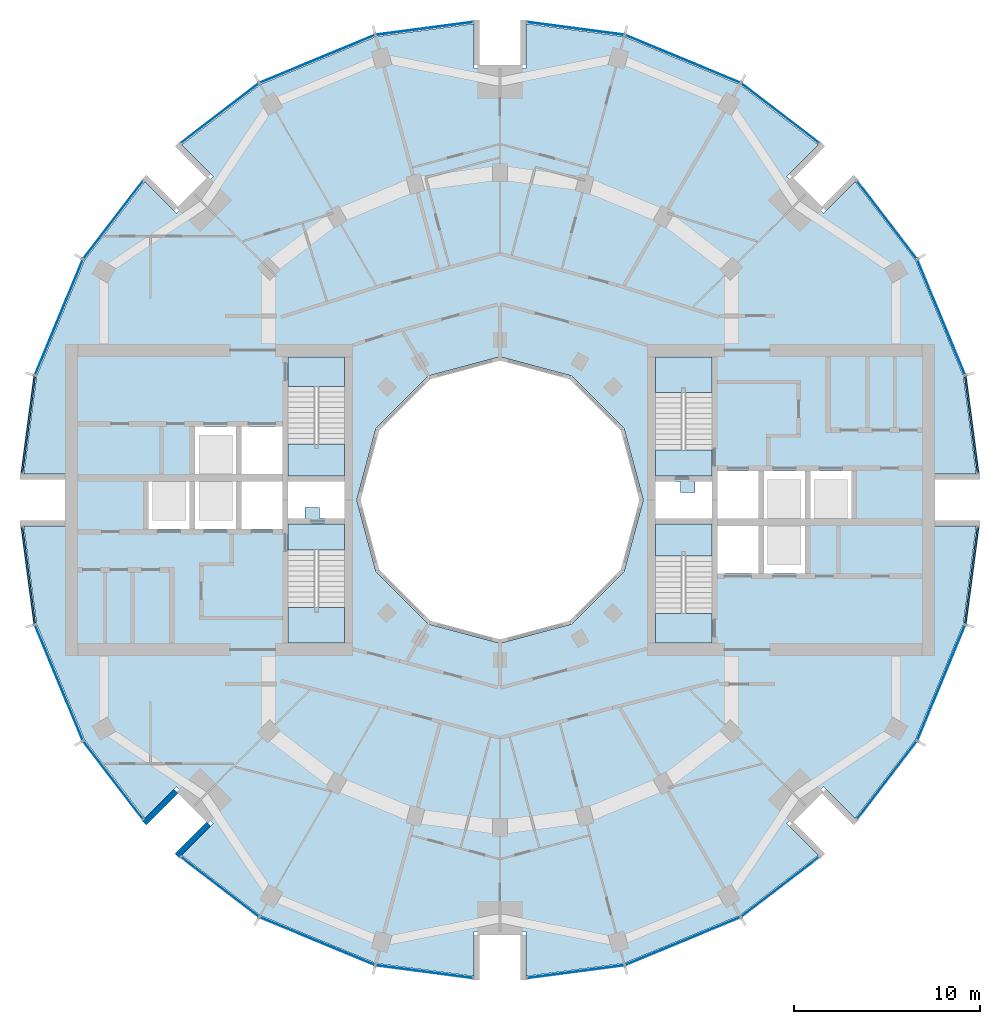
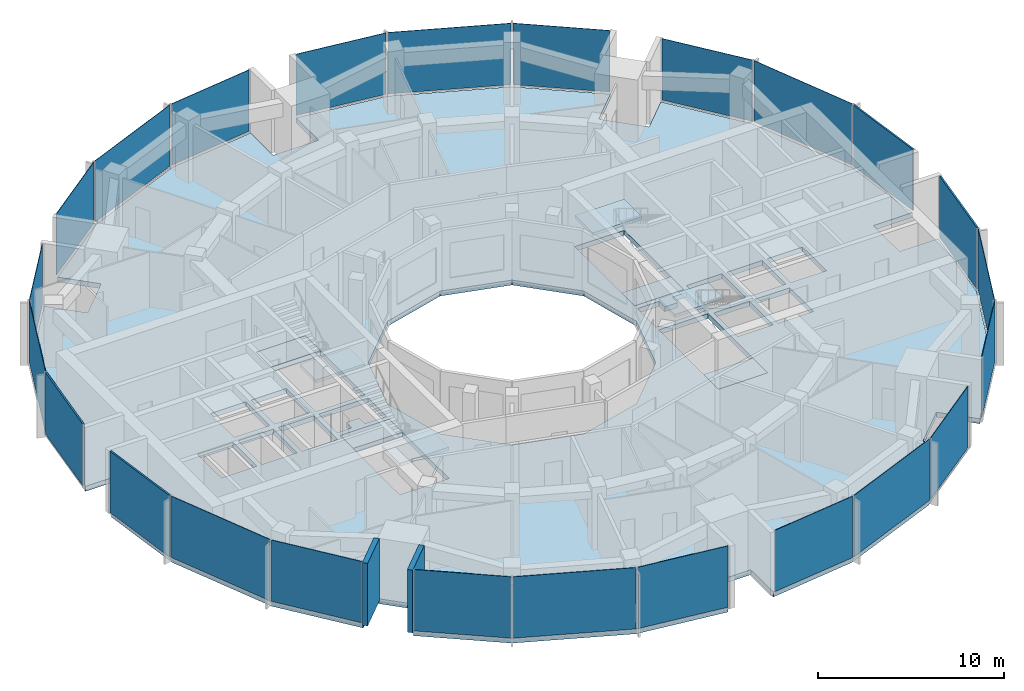
# One storey, part 7 of 15: 24 plates, 9 slabs, 2 walls, 28 elements without a shape of their own.
"""IFC4 building model written with IfcOpenShell, lengths in metres."""

import ifcopenshell
import ifcopenshell.guid

model = None  # the IFC model being written
_history = None  # IfcOwnerHistory: only IFC2X3 demands one
_inside = {}  # id of a spatial element -> (the spatial element, [elements in it])
_under = {}  # id of a project, library or spatial element -> (it, [spatial elements below it])
_declared = {}  # id of a project -> (the project, [libraries it declares])
_typed = {}  # id of a type object -> (the type object, [elements of that type])
_made_of = {}  # id of a material, layer set ... -> (it, [elements and type objects made of it])


def new_model(schema):
    """Start an empty IFC model of exactly this schema.

    Asked for "IFC4X3", IfcOpenShell would pick the latest addendum, in which some entities
    have other attributes; the version numbers below select the first issue.
    IFC2X3 requires an IfcOwnerHistory on every rooted entity: one is made here for all.
    """
    global model, _history
    if schema == "IFC4X3":
        model = ifcopenshell.file(schema_version=(4, 3, 0, 0))
    else:
        model = ifcopenshell.file(schema=schema)
    _inside.clear()
    _under.clear()
    _declared.clear()
    _typed.clear()
    _made_of.clear()
    _history = None
    if model.schema == "IFC2X3":
        org = make("IfcOrganization", Name="unknown")
        user = make(
            "IfcPersonAndOrganization",
            ThePerson=make("IfcPerson", FamilyName="unknown"),
            TheOrganization=org,
        )
        app = make(
            "IfcApplication",
            ApplicationDeveloper=org,
            Version="unknown",
            ApplicationFullName="unknown",
            ApplicationIdentifier="unknown",
        )
        _history = make(
            "IfcOwnerHistory",
            OwningUser=user,
            OwningApplication=app,
            ChangeAction="ADDED",
            CreationDate=0,
        )
    return model


def make(cls, **values):
    """One entity of the class cls with the attributes given. An attribute that is None is left unset."""
    return model.create_entity(
        cls, **{name: value for name, value in values.items() if value is not None}
    )


def rooted(cls, **values):
    """An entity with a GlobalId (a new one), such as an element, a storey or a relation."""
    return make(cls, GlobalId=ifcopenshell.guid.new(), OwnerHistory=_history, **values)


def si_unit(unit_type, name, prefix=None):
    """IfcSIUnit, for example si_unit("LENGTHUNIT", "METRE", prefix="MILLI")."""
    return make("IfcSIUnit", UnitType=unit_type, Prefix=prefix, Name=name)


def assignment(units):
    """IfcUnitAssignment: the units of a project."""
    return None if units is None else make("IfcUnitAssignment", Units=units)


def point(xyz):
    """IfcCartesianPoint."""
    return None if xyz is None else make("IfcCartesianPoint", Coordinates=xyz)


def direction(xyz):
    """IfcDirection."""
    return None if xyz is None else make("IfcDirection", DirectionRatios=xyz)


def frame(location, z_axis=None, x_axis=None):
    """IfcAxis2Placement3D, a coordinate frame: its origin and axes. An axis left out is left unset."""
    return make(
        "IfcAxis2Placement3D",
        Location=point(location),
        Axis=direction(z_axis),
        RefDirection=direction(x_axis),
    )


def frame_2d(location, x_axis=None):
    """IfcAxis2Placement2D, a coordinate frame in the plane: its origin and x axis."""
    return make(
        "IfcAxis2Placement2D", Location=point(location), RefDirection=direction(x_axis)
    )


def origin():
    """The frame at (0, 0, 0) with its axes left unset."""
    return frame((0.0, 0.0, 0.0))


def origin_2d():
    """The frame at (0, 0) in the plane with its x axis left unset."""
    return frame_2d((0.0, 0.0))


def place(relative_to, where):
    """IfcLocalPlacement: puts the frame where relative to a parent placement (None: the world)."""
    return make(
        "IfcLocalPlacement", PlacementRelTo=relative_to, RelativePlacement=where
    )


def context(
    kind, dimensions, precision=None, world=None, true_north=None, identifier=None
):
    """IfcGeometricRepresentationContext, for example the 3D "Model" context."""
    return make(
        "IfcGeometricRepresentationContext",
        ContextIdentifier=identifier,
        ContextType=kind,
        CoordinateSpaceDimension=dimensions,
        Precision=precision,
        WorldCoordinateSystem=world,
        TrueNorth=true_north,
    )


def subcontext(parent, identifier, kind, view, scale=None):
    """IfcGeometricRepresentationSubContext, for example "Body" below "Model"."""
    return make(
        "IfcGeometricRepresentationSubContext",
        ContextIdentifier=identifier,
        ContextType=kind,
        ParentContext=parent,
        TargetScale=scale,
        TargetView=view,
    )


def project(units=None, contexts=None):
    """IfcProject with its units and contexts."""
    return rooted(
        "IfcProject",
        Name="project",
        RepresentationContexts=contexts,
        UnitsInContext=assignment(units),
    )


def spatial(cls, under=None, at=None, **own):
    """A site, building, storey or space (cls), placed at a placement, below another one or the project."""
    s = rooted(cls, ObjectPlacement=at, **own)
    if under is not None:
        _under.setdefault(under.id(), (under, []))[1].append(s)
    return s


def polyline(points):
    """IfcPolyline through the points."""
    return make("IfcPolyline", Points=[point(p) for p in points])


def profile(cls, at=None, kind="AREA", **sizes):
    """A parametric profile (cls). Its sizes go by their IFC names, for example OverallWidth=200.0."""
    return make(cls, ProfileType=kind, Position=at, **sizes)


def rectangle(**sizes):
    """IfcRectangleProfileDef."""
    return profile("IfcRectangleProfileDef", **sizes)


def outline(outer, holes=None, kind="AREA"):
    """IfcArbitraryClosedProfileDef: a profile drawn as a closed curve; with holes, ...WithVoids."""
    if holes is None:
        return make("IfcArbitraryClosedProfileDef", ProfileType=kind, OuterCurve=outer)
    return make(
        "IfcArbitraryProfileDefWithVoids",
        ProfileType=kind,
        OuterCurve=outer,
        InnerCurves=holes,
    )


def extrude(swept, where, along, depth):
    """IfcExtrudedAreaSolid: the profile swept, set in the frame where, extruded along a direction by depth."""
    return make(
        "IfcExtrudedAreaSolid",
        SweptArea=swept,
        Position=where,
        ExtrudedDirection=direction(along),
        Depth=depth,
    )


def shape(context_of_items, identifier, shape_type, items):
    """IfcShapeRepresentation: the items that make up one representation, for example the "Body"."""
    return make(
        "IfcShapeRepresentation",
        ContextOfItems=context_of_items,
        RepresentationIdentifier=identifier,
        RepresentationType=shape_type,
        Items=items,
    )


def material(Name=None, Category=None):
    """IfcMaterial."""
    return make("IfcMaterial", Name=Name, Category=Category)


def layer(
    of_material, thickness, ventilated=None, Name=None, Category=None, Priority=None
):
    """IfcMaterialLayer: one layer of a wall or slab, of a material (None: an air gap)."""
    return make(
        "IfcMaterialLayer",
        Material=of_material,
        LayerThickness=thickness,
        IsVentilated=ventilated,
        Name=Name,
        Category=Category,
        Priority=Priority,
    )


def layer_set(layers, Name=None):
    """IfcMaterialLayerSet."""
    return make("IfcMaterialLayerSet", MaterialLayers=layers, LayerSetName=Name)


def made_of(thing, what):
    """Note that an element or type object is made of a material, layer set ...; save() writes the relation."""
    if what is not None:
        _made_of.setdefault(what.id(), (what, []))[1].append(thing)
    return thing


def type_object(cls, material=None, **own):
    """A type object (cls), such as IfcWallType, which elements share."""
    return made_of(rooted(cls, **own), material)


def element(
    cls,
    number,
    at=None,
    inside=None,
    cuts=None,
    type_object=None,
    material=None,
    context=None,
    identifier="Body",
    shape_type=None,
    held_by="IfcProductDefinitionShape",
    body=None,
    shapes=None,
    **own,
):
    """One element of the class cls, such as IfcWall. Its Tag is "e" and its number.

    at: its placement. inside: the storey or other place that contains it. cuts: it is an
    opening in that element (IfcRelVoidsElement). A single representation is given by context,
    identifier, shape_type and body (its items); several are given by shapes. held_by: the class
    of the entity that holds the representations. save() writes the other relations.
    """
    e = rooted(cls, Tag="e%d" % number, ObjectPlacement=at, **own)
    if body is not None:
        shapes = [shape(context, identifier, shape_type, body)]
    if shapes is not None:
        e.Representation = make(held_by, Representations=shapes)
    if inside is not None:
        _inside.setdefault(inside.id(), (inside, []))[1].append(e)
    if cuts is not None:
        rooted(
            "IfcRelVoidsElement", RelatingBuildingElement=cuts, RelatedOpeningElement=e
        )
    if type_object is not None:
        _typed.setdefault(type_object.id(), (type_object, []))[1].append(e)
    return made_of(e, material)


def aggregate(whole, parts):
    """IfcRelAggregates: a whole, such as a stair, and the parts it consists of."""
    return rooted("IfcRelAggregates", RelatingObject=whole, RelatedObjects=parts)


def save(model, path):
    """Write the relations noted so far, then the file.

    IfcRelAggregates (storeys below a building ...), IfcRelContainedInSpatialStructure (elements
    in a storey), IfcRelDefinesByType, IfcRelAssociatesMaterial and IfcRelDeclares: one each for
    every whole, place, type object, material and project.
    """
    for whole, parts in _under.values():
        aggregate(whole, parts)
    for where, things in _inside.values():
        rooted(
            "IfcRelContainedInSpatialStructure",
            RelatedElements=things,
            RelatingStructure=where,
        )
    for kind, things in _typed.values():
        rooted("IfcRelDefinesByType", RelatedObjects=things, RelatingType=kind)
    for what, things in _made_of.values():
        rooted("IfcRelAssociatesMaterial", RelatedObjects=things, RelatingMaterial=what)
    for by, libraries in _declared.values():
        rooted("IfcRelDeclares", RelatingContext=by, RelatedDefinitions=libraries)
    model.write(path)


model = new_model("IFC4")

# Units and contexts
model_context = context("Model", 3, precision=1e-05, world=origin(), true_north=direction((0.0, 1.0)))
body_context = subcontext(model_context, "Body", "Model", "MODEL_VIEW")
ifc_project = project(units=[si_unit("LENGTHUNIT", "METRE"), si_unit("AREAUNIT", "SQUARE_METRE"), si_unit("VOLUMEUNIT", "CUBIC_METRE"), si_unit("PLANEANGLEUNIT", "RADIAN"), si_unit("MASSUNIT", "GRAM", prefix="KILO")], contexts=[model_context])

# Site, building, storey
site_placement = place(None, origin())
site = spatial("IfcSite", under=ifc_project, at=site_placement, CompositionType="ELEMENT")
building_placement = place(site_placement, origin())
building = spatial("IfcBuilding", under=site, at=building_placement, Name="Torre Brocal", CompositionType="ELEMENT")
storey_placement = place(building_placement, frame((0.0, 0.0, 198.699951171875)))
storey = spatial("IfcBuildingStorey", under=building, at=storey_placement, Name="L46", CompositionType="ELEMENT", Elevation=198.699951171875)

# Curtain wall, plate
ifc_material_1 = material(Name="Aluminium and glass", Category="aluminium")
ifc_layer_1 = layer(ifc_material_1, 0.199951171875)
ifc_layer_set_1 = layer_set([ifc_layer_1], Name="Aluminium and glass")
curtain_wall_type_1 = type_object("IfcCurtainWallType", Name="CW-1 CURTAIN WALL 4100 HIGH", PredefinedType="NOTDEFINED", material=ifc_layer_set_1)
curtain_wall_1_placement = place(storey_placement, origin())
curtain_wall_1 = element("IfcCurtainWall", 1, at=curtain_wall_1_placement, inside=storey, type_object=curtain_wall_type_1, Name="CW-1 RUN 2", PredefinedType="NOTDEFINED")
ifc_material_2 = material(Name="Glass, dark tinted laminated", Category="glass")
ifc_layer_2 = layer(ifc_material_2, 0.031982421875)
ifc_layer_set_2 = layer_set([ifc_layer_2], Name="Glass, dark tinted laminated")
plate_type_1 = type_object("IfcPlateType", Name="CW-1 GLASS PANEL 32", PredefinedType="CURTAIN_PANEL", material=ifc_layer_set_2)
plate_1_placement = place(storey_placement, frame((103.722900390625, 84.826416015625, 0.080078125), z_axis=(0.0, 0.0, 1.0), x_axis=(-0.382683432333, 0.923879532525, 0.0)))
plate_1 = element("IfcPlate", 2, at=plate_1_placement, type_object=plate_type_1, Name="CW1-4 panel 1.1", PredefinedType="CURTAIN_PANEL", context=body_context, shape_type="SweptSolid", body=[
    extrude(rectangle(XDim=6.64111328125, YDim=0.031982421875, at=origin_2d()), origin(), (0.0, 0.0, 1.0), 4.02001953125),
])
aggregate(curtain_wall_1, [plate_1])

curtain_wall_2_placement = place(storey_placement, origin())
curtain_wall_2 = element("IfcCurtainWall", 3, at=curtain_wall_2_placement, inside=storey, type_object=curtain_wall_type_1, Name="CW-1 RUN 3", PredefinedType="NOTDEFINED")
plate_2_placement = place(storey_placement, frame((100.80126953125, 90.0712890625, 0.080078125), z_axis=(0.0, 0.0, 1.0), x_axis=(-0.60876142905, 0.793353340259, 0.0)))
plate_2 = element("IfcPlate", 4, at=plate_2_placement, type_object=plate_type_1, Name="CW1-4 panel 1.1", PredefinedType="CURTAIN_PANEL", context=body_context, shape_type="SweptSolid", body=[
    extrude(rectangle(XDim=5.22900390625, YDim=0.031982421875, at=origin_2d()), origin(), (0.0, 0.0, 1.0), 4.02001953125),
])
aggregate(curtain_wall_2, [plate_2])

curtain_wall_3_placement = place(storey_placement, origin())
curtain_wall_3 = element("IfcCurtainWall", 5, at=curtain_wall_3_placement, inside=storey, type_object=curtain_wall_type_1, Name="CW-1 RUN 4", PredefinedType="NOTDEFINED")
plate_3_placement = place(storey_placement, frame((95.0712890625, 95.80126953125, 0.080078125), z_axis=(0.0, 0.0, 1.0), x_axis=(-0.793353340259, 0.60876142905, 0.0)))
plate_3 = element("IfcPlate", 6, at=plate_3_placement, type_object=plate_type_1, Name="CW1-4 panel 1.1", PredefinedType="CURTAIN_PANEL", context=body_context, shape_type="SweptSolid", body=[
    extrude(rectangle(XDim=5.22900390625, YDim=0.031982421875, at=origin_2d()), origin(), (0.0, 0.0, 1.0), 4.02001953125),
])
aggregate(curtain_wall_3, [plate_3])

curtain_wall_4_placement = place(storey_placement, origin())
curtain_wall_4 = element("IfcCurtainWall", 7, at=curtain_wall_4_placement, inside=storey, type_object=curtain_wall_type_1, Name="CW-1 RUN 5", PredefinedType="NOTDEFINED")
plate_4_placement = place(storey_placement, frame((89.826416015625, 98.722900390625, 0.080078125), z_axis=(0.0, 0.0, 1.0), x_axis=(-0.923879532525, 0.382683432333, 0.0)))
plate_4 = element("IfcPlate", 8, at=plate_4_placement, type_object=plate_type_1, Name="CW1-4 panel 1.1", PredefinedType="CURTAIN_PANEL", context=body_context, shape_type="SweptSolid", body=[
    extrude(rectangle(XDim=6.64111328125, YDim=0.031982421875, at=origin_2d()), origin(), (0.0, 0.0, 1.0), 4.02001953125),
])
aggregate(curtain_wall_4, [plate_4])

curtain_wall_5_placement = place(storey_placement, origin())
curtain_wall_5 = element("IfcCurtainWall", 9, at=curtain_wall_5_placement, inside=storey, type_object=curtain_wall_type_1, Name="CW-1 RUN 6", PredefinedType="NOTDEFINED")
plate_5_placement = place(storey_placement, frame((84.051513671875, 100.36572265625, 0.080078125), z_axis=(0.0, 0.0, 1.0), x_axis=(-0.991444861374, 0.13052619222, 0.0)))
plate_5 = element("IfcPlate", 10, at=plate_5_placement, type_object=plate_type_1, Name="CW1-4 panel 1.1", PredefinedType="CURTAIN_PANEL", context=body_context, shape_type="SweptSolid", body=[
    extrude(rectangle(XDim=5.22900390625, YDim=0.031982421875, at=origin_2d()), origin(), (0.0, 0.0, 1.0), 4.02001953125),
])
aggregate(curtain_wall_5, [plate_5])

curtain_wall_6_placement = place(storey_placement, origin())
curtain_wall_6 = element("IfcCurtainWall", 11, at=curtain_wall_6_placement, inside=storey, type_object=curtain_wall_type_1, Name="CW-1 RUN 7", PredefinedType="NOTDEFINED")
plate_6_placement = place(storey_placement, frame((75.948486328125, 100.36572265625, 0.080078125), z_axis=(0.0, 0.0, 1.0), x_axis=(-0.991444861374, -0.13052619222, 0.0)))
plate_6 = element("IfcPlate", 12, at=plate_6_placement, type_object=plate_type_1, Name="CW1-4 panel 1.1", PredefinedType="CURTAIN_PANEL", context=body_context, shape_type="SweptSolid", body=[
    extrude(rectangle(XDim=5.22900390625, YDim=0.031982421875, at=origin_2d()), origin(), (0.0, 0.0, 1.0), 4.02001953125),
])
aggregate(curtain_wall_6, [plate_6])

curtain_wall_7_placement = place(storey_placement, origin())
curtain_wall_7 = element("IfcCurtainWall", 13, at=curtain_wall_7_placement, inside=storey, type_object=curtain_wall_type_1, Name="CW-1 RUN 8", PredefinedType="NOTDEFINED")
plate_7_placement = place(storey_placement, frame((70.173583984375, 98.722900390625, 0.080078125), z_axis=(0.0, 0.0, 1.0), x_axis=(-0.923879532525, -0.382683432333, 0.0)))
plate_7 = element("IfcPlate", 14, at=plate_7_placement, type_object=plate_type_1, Name="CW1-4 panel 1.1", PredefinedType="CURTAIN_PANEL", context=body_context, shape_type="SweptSolid", body=[
    extrude(rectangle(XDim=6.64111328125, YDim=0.031982421875, at=origin_2d()), origin(), (0.0, 0.0, 1.0), 4.02001953125),
])
aggregate(curtain_wall_7, [plate_7])

curtain_wall_8_placement = place(storey_placement, origin())
curtain_wall_8 = element("IfcCurtainWall", 15, at=curtain_wall_8_placement, inside=storey, type_object=curtain_wall_type_1, Name="CW-1 RUN 9", PredefinedType="NOTDEFINED")
plate_8_placement = place(storey_placement, frame((64.9287109375, 95.80126953125, 0.080078125), z_axis=(0.0, 0.0, 1.0), x_axis=(-0.793353340259, -0.60876142905, 0.0)))
plate_8 = element("IfcPlate", 16, at=plate_8_placement, type_object=plate_type_1, Name="CW1-4 panel 1.1", PredefinedType="CURTAIN_PANEL", context=body_context, shape_type="SweptSolid", body=[
    extrude(rectangle(XDim=5.22900390625, YDim=0.031982421875, at=origin_2d()), origin(), (0.0, 0.0, 1.0), 4.02001953125),
])
aggregate(curtain_wall_8, [plate_8])

curtain_wall_9_placement = place(storey_placement, origin())
curtain_wall_9 = element("IfcCurtainWall", 17, at=curtain_wall_9_placement, inside=storey, type_object=curtain_wall_type_1, Name="CW-1 RUN 10", PredefinedType="NOTDEFINED")
plate_9_placement = place(storey_placement, frame((59.19873046875, 90.0712890625, 0.080078125), z_axis=(0.0, 0.0, 1.0), x_axis=(-0.60876142905, -0.793353340259, 0.0)))
plate_9 = element("IfcPlate", 18, at=plate_9_placement, type_object=plate_type_1, Name="CW1-4 panel 1.1", PredefinedType="CURTAIN_PANEL", context=body_context, shape_type="SweptSolid", body=[
    extrude(rectangle(XDim=5.22900390625, YDim=0.031982421875, at=origin_2d()), origin(), (0.0, 0.0, 1.0), 4.02001953125),
])
aggregate(curtain_wall_9, [plate_9])

curtain_wall_10_placement = place(storey_placement, origin())
curtain_wall_10 = element("IfcCurtainWall", 19, at=curtain_wall_10_placement, inside=storey, type_object=curtain_wall_type_1, Name="CW-1 RUN 11", PredefinedType="NOTDEFINED")
plate_10_placement = place(storey_placement, frame((56.277099609375, 84.826416015625, 0.080078125), z_axis=(0.0, 0.0, 1.0), x_axis=(-0.382683432333, -0.923879532525, 0.0)))
plate_10 = element("IfcPlate", 20, at=plate_10_placement, type_object=plate_type_1, Name="CW1-4 panel 1.1", PredefinedType="CURTAIN_PANEL", context=body_context, shape_type="SweptSolid", body=[
    extrude(rectangle(XDim=6.64111328125, YDim=0.031982421875, at=origin_2d()), origin(), (0.0, 0.0, 1.0), 4.02001953125),
])
aggregate(curtain_wall_10, [plate_10])

curtain_wall_11_placement = place(storey_placement, origin())
curtain_wall_11 = element("IfcCurtainWall", 21, at=curtain_wall_11_placement, inside=storey, type_object=curtain_wall_type_1, Name="CW-1 RUN 14", PredefinedType="NOTDEFINED")
plate_11_placement = place(storey_placement, frame((56.277099609375, 65.173583984375, 0.080078125), z_axis=(0.0, 0.0, 1.0), x_axis=(0.382683432333, -0.923879532525, 0.0)))
plate_11 = element("IfcPlate", 22, at=plate_11_placement, type_object=plate_type_1, Name="CW1-4 panel 1.1", PredefinedType="CURTAIN_PANEL", context=body_context, shape_type="SweptSolid", body=[
    extrude(rectangle(XDim=6.64111328125, YDim=0.031982421875, at=origin_2d()), origin(), (0.0, 0.0, 1.0), 4.02001953125),
])
aggregate(curtain_wall_11, [plate_11])

curtain_wall_12_placement = place(storey_placement, origin())
curtain_wall_12 = element("IfcCurtainWall", 23, at=curtain_wall_12_placement, inside=storey, type_object=curtain_wall_type_1, Name="CW-1 RUN 15", PredefinedType="NOTDEFINED")
plate_12_placement = place(storey_placement, frame((59.19873046875, 59.9287109375, 0.080078125), z_axis=(0.0, 0.0, 1.0), x_axis=(0.60876142905, -0.793353340259, 0.0)))
plate_12 = element("IfcPlate", 24, at=plate_12_placement, type_object=plate_type_1, Name="CW1-4 panel 1.1", PredefinedType="CURTAIN_PANEL", context=body_context, shape_type="SweptSolid", body=[
    extrude(rectangle(XDim=5.22900390625, YDim=0.031982421875, at=origin_2d()), origin(), (0.0, 0.0, 1.0), 4.02001953125),
])
aggregate(curtain_wall_12, [plate_12])

curtain_wall_13_placement = place(storey_placement, origin())
curtain_wall_13 = element("IfcCurtainWall", 25, at=curtain_wall_13_placement, inside=storey, type_object=curtain_wall_type_1, Name="CW-1 RUN 16", PredefinedType="NOTDEFINED")
plate_13_placement = place(storey_placement, frame((64.9287109375, 54.19873046875, 0.080078125), z_axis=(0.0, 0.0, 1.0), x_axis=(0.793353340259, -0.60876142905, 0.0)))
plate_13 = element("IfcPlate", 26, at=plate_13_placement, type_object=plate_type_1, Name="CW1-4 panel 1.1", PredefinedType="CURTAIN_PANEL", context=body_context, shape_type="SweptSolid", body=[
    extrude(rectangle(XDim=5.22900390625, YDim=0.031982421875, at=origin_2d()), origin(), (0.0, 0.0, 1.0), 4.02001953125),
])
aggregate(curtain_wall_13, [plate_13])

curtain_wall_14_placement = place(storey_placement, origin())
curtain_wall_14 = element("IfcCurtainWall", 27, at=curtain_wall_14_placement, inside=storey, type_object=curtain_wall_type_1, Name="CW-1 RUN 17", PredefinedType="NOTDEFINED")
plate_14_placement = place(storey_placement, frame((70.173583984375, 51.277099609375, 0.080078125), z_axis=(0.0, 0.0, 1.0), x_axis=(0.923879532525, -0.382683432333, 0.0)))
plate_14 = element("IfcPlate", 28, at=plate_14_placement, type_object=plate_type_1, Name="CW1-4 panel 1.1", PredefinedType="CURTAIN_PANEL", context=body_context, shape_type="SweptSolid", body=[
    extrude(rectangle(XDim=6.64111328125, YDim=0.031982421875, at=origin_2d()), origin(), (0.0, 0.0, 1.0), 4.02001953125),
])
aggregate(curtain_wall_14, [plate_14])

curtain_wall_15_placement = place(storey_placement, origin())
curtain_wall_15 = element("IfcCurtainWall", 29, at=curtain_wall_15_placement, inside=storey, type_object=curtain_wall_type_1, Name="CW-1 RUN 18", PredefinedType="NOTDEFINED")
plate_15_placement = place(storey_placement, frame((75.948486328125, 49.63427734375, 0.080078125), z_axis=(0.0, 0.0, 1.0), x_axis=(0.991444861374, -0.13052619222, 0.0)))
plate_15 = element("IfcPlate", 30, at=plate_15_placement, type_object=plate_type_1, Name="CW1-4 panel 1.1", PredefinedType="CURTAIN_PANEL", context=body_context, shape_type="SweptSolid", body=[
    extrude(rectangle(XDim=5.22900390625, YDim=0.031982421875, at=origin_2d()), origin(), (0.0, 0.0, 1.0), 4.02001953125),
])
aggregate(curtain_wall_15, [plate_15])

curtain_wall_16_placement = place(storey_placement, origin())
curtain_wall_16 = element("IfcCurtainWall", 31, at=curtain_wall_16_placement, inside=storey, type_object=curtain_wall_type_1, Name="CW-1 RUN 19", PredefinedType="NOTDEFINED")
plate_16_placement = place(storey_placement, frame((84.051513671875, 49.63427734375, 0.080078125), z_axis=(0.0, 0.0, 1.0), x_axis=(0.991444861374, 0.13052619222, 0.0)))
plate_16 = element("IfcPlate", 32, at=plate_16_placement, type_object=plate_type_1, Name="CW1-4 panel 1.1", PredefinedType="CURTAIN_PANEL", context=body_context, shape_type="SweptSolid", body=[
    extrude(rectangle(XDim=5.22900390625, YDim=0.031982421875, at=origin_2d()), origin(), (0.0, 0.0, 1.0), 4.02001953125),
])
aggregate(curtain_wall_16, [plate_16])

curtain_wall_17_placement = place(storey_placement, origin())
curtain_wall_17 = element("IfcCurtainWall", 33, at=curtain_wall_17_placement, inside=storey, type_object=curtain_wall_type_1, Name="CW-1 RUN 20", PredefinedType="NOTDEFINED")
plate_17_placement = place(storey_placement, frame((89.826416015625, 51.277099609375, 0.080078125), z_axis=(0.0, 0.0, 1.0), x_axis=(0.923879532525, 0.382683432333, 0.0)))
plate_17 = element("IfcPlate", 34, at=plate_17_placement, type_object=plate_type_1, Name="CW1-4 panel 1.1", PredefinedType="CURTAIN_PANEL", context=body_context, shape_type="SweptSolid", body=[
    extrude(rectangle(XDim=6.64111328125, YDim=0.031982421875, at=origin_2d()), origin(), (0.0, 0.0, 1.0), 4.02001953125),
])
aggregate(curtain_wall_17, [plate_17])

curtain_wall_18_placement = place(storey_placement, origin())
curtain_wall_18 = element("IfcCurtainWall", 35, at=curtain_wall_18_placement, inside=storey, type_object=curtain_wall_type_1, Name="CW-1 RUN 21", PredefinedType="NOTDEFINED")
plate_18_placement = place(storey_placement, frame((95.0712890625, 54.19873046875, 0.080078125), z_axis=(0.0, 0.0, 1.0), x_axis=(0.793353340259, 0.60876142905, 0.0)))
plate_18 = element("IfcPlate", 36, at=plate_18_placement, type_object=plate_type_1, Name="CW1-4 panel 1.1", PredefinedType="CURTAIN_PANEL", context=body_context, shape_type="SweptSolid", body=[
    extrude(rectangle(XDim=5.22900390625, YDim=0.031982421875, at=origin_2d()), origin(), (0.0, 0.0, 1.0), 4.02001953125),
])
aggregate(curtain_wall_18, [plate_18])

curtain_wall_19_placement = place(storey_placement, origin())
curtain_wall_19 = element("IfcCurtainWall", 37, at=curtain_wall_19_placement, inside=storey, type_object=curtain_wall_type_1, Name="CW-1 RUN 22", PredefinedType="NOTDEFINED")
plate_19_placement = place(storey_placement, frame((100.80126953125, 59.9287109375, 0.080078125), z_axis=(0.0, 0.0, 1.0), x_axis=(0.60876142905, 0.793353340259, 0.0)))
plate_19 = element("IfcPlate", 38, at=plate_19_placement, type_object=plate_type_1, Name="CW1-4 panel 1.1", PredefinedType="CURTAIN_PANEL", context=body_context, shape_type="SweptSolid", body=[
    extrude(rectangle(XDim=5.22900390625, YDim=0.031982421875, at=origin_2d()), origin(), (0.0, 0.0, 1.0), 4.02001953125),
])
aggregate(curtain_wall_19, [plate_19])

curtain_wall_20_placement = place(storey_placement, origin())
curtain_wall_20 = element("IfcCurtainWall", 39, at=curtain_wall_20_placement, inside=storey, type_object=curtain_wall_type_1, Name="CW-1 RUN 23", PredefinedType="NOTDEFINED")
plate_20_placement = place(storey_placement, frame((103.722900390625, 65.173583984375, 0.080078125), z_axis=(0.0, 0.0, 1.0), x_axis=(0.382683432333, 0.923879532525, 0.0)))
plate_20 = element("IfcPlate", 40, at=plate_20_placement, type_object=plate_type_1, Name="CW1-4 panel 1.1", PredefinedType="CURTAIN_PANEL", context=body_context, shape_type="SweptSolid", body=[
    extrude(rectangle(XDim=6.64111328125, YDim=0.031982421875, at=origin_2d()), origin(), (0.0, 0.0, 1.0), 4.02001953125),
])
aggregate(curtain_wall_20, [plate_20])

ifc_material_3 = material(Name="Aluminium and glass", Category="aluminium")
ifc_layer_3 = layer(ifc_material_3, 0.199951171875)
ifc_layer_set_3 = layer_set([ifc_layer_3], Name="Aluminium and glass")
curtain_wall_type_2 = type_object("IfcCurtainWallType", Name="CW-1B CURTAIN WALL 4100 HIGH", PredefinedType="NOTDEFINED", material=ifc_layer_set_3)
curtain_wall_21_placement = place(storey_placement, origin())
curtain_wall_21 = element("IfcCurtainWall", 41, at=curtain_wall_21_placement, inside=storey, type_object=curtain_wall_type_2, Name="CW-1B RUN 1", PredefinedType="NOTDEFINED")
ifc_material_4 = material(Name="Aluminium composite panel", Category="aluminium")
ifc_layer_4 = layer(ifc_material_4, 0.10009765625)
ifc_layer_set_4 = layer_set([ifc_layer_4], Name="Aluminium composite panel")
plate_type_2 = type_object("IfcPlateType", Name="CW-1B OPAQUE PANEL 100", PredefinedType="CURTAIN_PANEL", material=ifc_layer_set_4)
plate_21_placement = place(storey_placement, frame((105.36572265625, 79.051513671875, 0.080078125), z_axis=(0.0, 0.0, 1.0), x_axis=(-0.13052619222, 0.991444861374, 0.0)))
plate_21 = element("IfcPlate", 42, at=plate_21_placement, type_object=plate_type_2, Name="CW1B-4 panel 1.1", PredefinedType="CURTAIN_PANEL", context=body_context, shape_type="SweptSolid", body=[
    extrude(rectangle(XDim=5.22900390625, YDim=0.10009765625, at=origin_2d()), origin(), (0.0, 0.0, 1.0), 4.02001953125),
])
aggregate(curtain_wall_21, [plate_21])

curtain_wall_22_placement = place(storey_placement, origin())
curtain_wall_22 = element("IfcCurtainWall", 43, at=curtain_wall_22_placement, inside=storey, type_object=curtain_wall_type_2, Name="CW-1B RUN 12", PredefinedType="NOTDEFINED")
plate_22_placement = place(storey_placement, frame((54.63427734375, 79.051513671875, 0.080078125), z_axis=(0.0, 0.0, 1.0), x_axis=(-0.13052619222, -0.991444861374, 0.0)))
plate_22 = element("IfcPlate", 44, at=plate_22_placement, type_object=plate_type_2, Name="CW1B-4 panel 1.1", PredefinedType="CURTAIN_PANEL", context=body_context, shape_type="SweptSolid", body=[
    extrude(rectangle(XDim=5.22900390625, YDim=0.10009765625, at=origin_2d()), origin(), (0.0, 0.0, 1.0), 4.02001953125),
])
aggregate(curtain_wall_22, [plate_22])

curtain_wall_23_placement = place(storey_placement, origin())
curtain_wall_23 = element("IfcCurtainWall", 45, at=curtain_wall_23_placement, inside=storey, type_object=curtain_wall_type_2, Name="CW-1B RUN 13", PredefinedType="NOTDEFINED")
plate_23_placement = place(storey_placement, frame((54.63427734375, 70.948486328125, 0.080078125), z_axis=(0.0, 0.0, 1.0), x_axis=(0.13052619222, -0.991444861374, 0.0)))
plate_23 = element("IfcPlate", 46, at=plate_23_placement, type_object=plate_type_2, Name="CW1B-4 panel 1.1", PredefinedType="CURTAIN_PANEL", context=body_context, shape_type="SweptSolid", body=[
    extrude(rectangle(XDim=5.22900390625, YDim=0.10009765625, at=origin_2d()), origin(), (0.0, 0.0, 1.0), 4.02001953125),
])
aggregate(curtain_wall_23, [plate_23])

curtain_wall_24_placement = place(storey_placement, origin())
curtain_wall_24 = element("IfcCurtainWall", 47, at=curtain_wall_24_placement, inside=storey, type_object=curtain_wall_type_2, Name="CW-1B RUN 24", PredefinedType="NOTDEFINED")
plate_24_placement = place(storey_placement, frame((105.36572265625, 70.948486328125, 0.080078125), z_axis=(0.0, 0.0, 1.0), x_axis=(0.13052619222, 0.991444861374, 0.0)))
plate_24 = element("IfcPlate", 48, at=plate_24_placement, type_object=plate_type_2, Name="CW1B-4 panel 1.1", PredefinedType="CURTAIN_PANEL", context=body_context, shape_type="SweptSolid", body=[
    extrude(rectangle(XDim=5.22900390625, YDim=0.10009765625, at=origin_2d()), origin(), (0.0, 0.0, 1.0), 4.02001953125),
])
aggregate(curtain_wall_24, [plate_24])

# Stair, slab
ifc_material_5 = material(Name="Concrete C50", Category="concrete")
stair_type = type_object("IfcStairType", Name="EXIT STAIR", PredefinedType="HALF_TURN_STAIR", material=ifc_material_5)
stair_1_placement = place(storey_placement, origin())
stair_1 = element("IfcStair", 49, at=stair_1_placement, inside=storey, type_object=stair_type, Name="EXIT STAIR ST1", PredefinedType="HALF_TURN_STAIR")
ifc_material_6 = material(Name="Concrete C50", Category="concrete")
ifc_layer_5 = layer(ifc_material_6, 0.320068359375)
ifc_layer_set_5 = layer_set([ifc_layer_5], Name="Concrete C50")
slab_type_1 = type_object("IfcSlabType", Name="FLOOR LANDING 320", PredefinedType="LANDING", material=ifc_layer_set_5)
slab_1_placement = place(storey_placement, frame((0.0, 0.0, -0.320068359375)))
slab_1 = element("IfcSlab", 50, at=slab_1_placement, type_object=slab_type_1, Name="ST1 landing 1", PredefinedType="LANDING", context=body_context, shape_type="SweptSolid", body=[
    extrude(outline(polyline([(88.35009765625, 76.300048828125), (91.39990234375, 76.300048828125), (91.39990234375, 77.699951171875), (88.35009765625, 77.699951171875), (88.35009765625, 76.300048828125)])), origin(), (0.0, 0.0, 1.0), 0.320068359375),
])

stair_2_placement = place(storey_placement, origin())
stair_2 = element("IfcStair", 51, at=stair_2_placement, inside=storey, type_object=stair_type, Name="EXIT STAIR ST2", PredefinedType="HALF_TURN_STAIR")
slab_2_placement = place(storey_placement, frame((0.0, 0.0, -0.320068359375)))
slab_2 = element("IfcSlab", 52, at=slab_2_placement, type_object=slab_type_1, Name="ST2 landing 1", PredefinedType="LANDING", context=body_context, shape_type="SweptSolid", body=[
    extrude(outline(polyline([(88.35009765625, 67.300048828125), (91.39990234375, 67.300048828125), (91.39990234375, 68.89990234375), (88.35009765625, 68.89990234375), (88.35009765625, 67.300048828125)])), origin(), (0.0, 0.0, 1.0), 0.320068359375),
])

stair_3_placement = place(storey_placement, origin())
stair_3 = element("IfcStair", 53, at=stair_3_placement, inside=storey, type_object=stair_type, Name="EXIT STAIR ST3", PredefinedType="HALF_TURN_STAIR")
slab_3_placement = place(storey_placement, frame((0.0, 0.0, -0.320068359375)))
slab_3 = element("IfcSlab", 54, at=slab_3_placement, type_object=slab_type_1, Name="ST3 landing 1", PredefinedType="LANDING", context=body_context, shape_type="SweptSolid", body=[
    extrude(outline(polyline([(71.64990234375, 73.699951171875), (68.60009765625, 73.699951171875), (68.60009765625, 72.300048828125), (71.64990234375, 72.300048828125), (71.64990234375, 73.699951171875)])), origin(), (0.0, 0.0, 1.0), 0.320068359375),
])

stair_4_placement = place(storey_placement, origin())
stair_4 = element("IfcStair", 55, at=stair_4_placement, inside=storey, type_object=stair_type, Name="EXIT STAIR ST4", PredefinedType="HALF_TURN_STAIR")
slab_4_placement = place(storey_placement, frame((0.0, 0.0, -0.320068359375)))
slab_4 = element("IfcSlab", 56, at=slab_4_placement, type_object=slab_type_1, Name="ST4 landing 1", PredefinedType="LANDING", context=body_context, shape_type="SweptSolid", body=[
    extrude(outline(polyline([(71.64990234375, 82.699951171875), (68.60009765625, 82.699951171875), (68.60009765625, 81.10009765625), (71.64990234375, 81.10009765625), (71.64990234375, 82.699951171875)])), origin(), (0.0, 0.0, 1.0), 0.320068359375),
])

# Slab
ifc_material_7 = material(Name="Concrete C50", Category="concrete")
ifc_layer_6 = layer(ifc_material_7, 0.199951171875)
ifc_layer_set_6 = layer_set([ifc_layer_6], Name="Concrete C50")
slab_type_2 = type_object("IfcSlabType", Name="MID LANDING +2050", PredefinedType="LANDING", material=ifc_layer_set_6)
slab_5_placement = place(storey_placement, frame((0.0, 0.0, 1.85009765625)))
slab_5 = element("IfcSlab", 57, at=slab_5_placement, type_object=slab_type_2, Name="ST1 landing 2", PredefinedType="LANDING", context=body_context, shape_type="SweptSolid", body=[
    extrude(outline(polyline([(88.35009765625, 80.780029296875), (91.39990234375, 80.780029296875), (91.39990234375, 82.699951171875), (88.35009765625, 82.699951171875), (88.35009765625, 80.780029296875)])), origin(), (0.0, 0.0, 1.0), 0.199951171875),
])

aggregate(stair_1, [slab_1, slab_5])

slab_6_placement = place(storey_placement, frame((0.0, 0.0, 1.85009765625)))
slab_6 = element("IfcSlab", 58, at=slab_6_placement, type_object=slab_type_2, Name="ST2 landing 2", PredefinedType="LANDING", context=body_context, shape_type="SweptSolid", body=[
    extrude(outline(polyline([(88.35009765625, 71.97998046875), (91.39990234375, 71.97998046875), (91.39990234375, 73.699951171875), (88.35009765625, 73.699951171875), (88.35009765625, 71.97998046875)])), origin(), (0.0, 0.0, 1.0), 0.199951171875),
])

aggregate(stair_2, [slab_2, slab_6])

slab_7_placement = place(storey_placement, frame((0.0, 0.0, 1.85009765625)))
slab_7 = element("IfcSlab", 59, at=slab_7_placement, type_object=slab_type_2, Name="ST3 landing 2", PredefinedType="LANDING", context=body_context, shape_type="SweptSolid", body=[
    extrude(outline(polyline([(71.64990234375, 69.219970703125), (68.60009765625, 69.219970703125), (68.60009765625, 67.300048828125), (71.64990234375, 67.300048828125), (71.64990234375, 69.219970703125)])), origin(), (0.0, 0.0, 1.0), 0.199951171875),
])

aggregate(stair_3, [slab_3, slab_7])

slab_8_placement = place(storey_placement, frame((0.0, 0.0, 1.85009765625)))
slab_8 = element("IfcSlab", 60, at=slab_8_placement, type_object=slab_type_2, Name="ST4 landing 2", PredefinedType="LANDING", context=body_context, shape_type="SweptSolid", body=[
    extrude(outline(polyline([(71.64990234375, 78.02001953125), (68.60009765625, 78.02001953125), (68.60009765625, 76.300048828125), (71.64990234375, 76.300048828125), (71.64990234375, 78.02001953125)])), origin(), (0.0, 0.0, 1.0), 0.199951171875),
])

aggregate(stair_4, [slab_4, slab_8])

ifc_material_8 = material(Name="Concrete C45", Category="concrete")
ifc_layer_7 = layer(ifc_material_8, 0.320068359375)
ifc_layer_set_7 = layer_set([ifc_layer_7], Name="Concrete C45")
slab_type_3 = type_object("IfcSlabType", Name="PT FLOOR SLAB 320 C45", PredefinedType="FLOOR", material=ifc_layer_set_7)
slab_9_placement = place(storey_placement, frame((0.0, 0.0, -0.320068359375)))
element("IfcSlab", 61, at=slab_9_placement, inside=storey, type_object=slab_type_3, Name="Slab ST-05", PredefinedType="FLOOR", context=body_context, shape_type="SweptSolid", body=[
    extrude(outline(polyline([(103.199951171875, 76.39990234375), (103.199951171875, 73.60009765625), (105.614013671875, 73.60009765625), (104.919189453125, 68.322998046875), (102.342041015625, 62.100830078125), (99.101806640625, 57.878173828125), (97.394775390625, 59.5849609375), (95.4150390625, 57.605224609375), (97.121826171875, 55.898193359375), (92.899169921875, 52.657958984375), (86.677001953125, 50.080810546875), (81.39990234375, 49.385986328125), (81.39990234375, 51.800048828125), (78.60009765625, 51.800048828125), (78.60009765625, 49.385986328125), (73.322998046875, 50.080810546875), (67.100830078125, 52.657958984375), (62.878173828125, 55.898193359375), (64.5849609375, 57.605224609375), (62.605224609375, 59.5849609375), (60.898193359375, 57.878173828125), (57.657958984375, 62.100830078125), (55.080810546875, 68.322998046875), (54.385986328125, 73.60009765625), (56.800048828125, 73.60009765625), (56.800048828125, 76.39990234375), (54.385986328125, 76.39990234375), (55.080810546875, 81.677001953125), (57.657958984375, 87.899169921875), (60.898193359375, 92.121826171875), (62.605224609375, 90.4150390625), (64.5849609375, 92.394775390625), (62.878173828125, 94.101806640625), (67.100830078125, 97.342041015625), (73.322998046875, 99.919189453125), (78.60009765625, 100.614013671875), (78.60009765625, 98.199951171875), (81.39990234375, 98.199951171875), (81.39990234375, 100.614013671875), (86.677001953125, 99.919189453125), (92.899169921875, 97.342041015625), (97.121826171875, 94.101806640625), (95.4150390625, 92.394775390625), (97.394775390625, 90.4150390625), (99.101806640625, 92.121826171875), (102.342041015625, 87.899169921875), (104.919189453125, 81.677001953125), (105.614013671875, 76.39990234375), (103.199951171875, 76.39990234375)]), holes=[polyline([(98.89990234375, 76.550048828125), (96.699951171875, 76.550048828125), (96.699951171875, 74.0), (98.89990234375, 74.0), (98.89990234375, 76.550048828125)]), polyline([(96.39990234375, 76.550048828125), (94.199951171875, 76.550048828125), (94.199951171875, 74.0), (96.39990234375, 74.0), (96.39990234375, 76.550048828125)]), polyline([(96.39990234375, 73.60009765625), (94.199951171875, 73.60009765625), (94.199951171875, 71.050048828125), (96.39990234375, 71.050048828125), (96.39990234375, 73.60009765625)]), polyline([(93.89990234375, 76.550048828125), (91.699951171875, 76.550048828125), (91.699951171875, 74.0), (93.89990234375, 74.0), (93.89990234375, 76.550048828125)]), polyline([(93.89990234375, 73.60009765625), (91.699951171875, 73.60009765625), (91.699951171875, 71.050048828125), (93.89990234375, 71.050048828125), (93.89990234375, 73.60009765625)]), polyline([(89.699951171875, 76.0), (88.35009765625, 76.0), (88.35009765625, 74.0), (91.39990234375, 74.0), (91.39990234375, 76.0), (90.5, 76.0), (90.5, 75.39990234375), (89.699951171875, 75.39990234375), (89.699951171875, 76.0)]), polyline([(91.39990234375, 82.699951171875), (88.35009765625, 82.699951171875), (88.35009765625, 76.300048828125), (91.39990234375, 76.300048828125), (91.39990234375, 82.699951171875)]), polyline([(91.39990234375, 73.699951171875), (88.35009765625, 73.699951171875), (88.35009765625, 67.300048828125), (91.39990234375, 67.300048828125), (91.39990234375, 73.699951171875)]), polyline([(80.0, 82.70703125), (76.146484375, 81.674560546875), (73.325439453125, 78.853515625), (72.29296875, 75.0), (73.325439453125, 71.146484375), (76.146484375, 68.325439453125), (80.0, 67.29296875), (83.853515625, 68.325439453125), (86.674560546875, 71.146484375), (87.70703125, 75.0), (86.674560546875, 78.853515625), (83.853515625, 81.674560546875), (80.0, 82.70703125)]), polyline([(70.300048828125, 74.0), (71.64990234375, 74.0), (71.64990234375, 76.0), (68.60009765625, 76.0), (68.60009765625, 74.0), (69.5, 74.0), (69.5, 74.60009765625), (70.300048828125, 74.60009765625), (70.300048828125, 74.0)]), polyline([(68.60009765625, 76.300048828125), (71.64990234375, 76.300048828125), (71.64990234375, 82.699951171875), (68.60009765625, 82.699951171875), (68.60009765625, 76.300048828125)]), polyline([(68.60009765625, 67.300048828125), (71.64990234375, 67.300048828125), (71.64990234375, 73.699951171875), (68.60009765625, 73.699951171875), (68.60009765625, 67.300048828125)]), polyline([(66.10009765625, 76.39990234375), (68.300048828125, 76.39990234375), (68.300048828125, 78.949951171875), (66.10009765625, 78.949951171875), (66.10009765625, 76.39990234375)]), polyline([(66.10009765625, 73.449951171875), (68.300048828125, 73.449951171875), (68.300048828125, 76.0), (66.10009765625, 76.0), (66.10009765625, 73.449951171875)]), polyline([(63.60009765625, 76.39990234375), (65.800048828125, 76.39990234375), (65.800048828125, 78.949951171875), (63.60009765625, 78.949951171875), (63.60009765625, 76.39990234375)]), polyline([(63.60009765625, 73.449951171875), (65.800048828125, 73.449951171875), (65.800048828125, 76.0), (63.60009765625, 76.0), (63.60009765625, 73.449951171875)]), polyline([(61.10009765625, 73.449951171875), (63.300048828125, 73.449951171875), (63.300048828125, 76.0), (61.10009765625, 76.0), (61.10009765625, 73.449951171875)])]), origin(), (0.0, 0.0, 1.0), 0.320068359375),
])

# Walls
ifc_material_9 = material(Name="Concrete C70", Category="concrete")
ifc_layer_8 = layer(ifc_material_9, 0.300048828125)
ifc_layer_set_8 = layer_set([ifc_layer_8], Name="Concrete C70")
wall_type = type_object("IfcWallType", Name="NOTCH RETURN WALL 300 C70", PredefinedType="NOTDEFINED", material=ifc_layer_set_8)
for number, where, z_axis, x_axis, name in (
    (62, (62.56982421875, 59.337646484375, 0.0), (0.0, 0.0, 1.0), (-0.707106781187, -0.707106781187, 0.0), "NOTCH RETURN WALL"),
    (63, (64.337646484375, 57.56982421875, 0.0), (0.0, 0.0, 1.0), (-0.707106781187, -0.707106781187, 0.0), "NOTCH RETURN WALL"),
):
    element("IfcWall", number, at=place(storey_placement, frame(where, z_axis=z_axis, x_axis=x_axis)), inside=storey, type_object=wall_type, Name=name, PredefinedType="NOTDEFINED", context=body_context, shape_type="SweptSolid", body=[
        extrude(rectangle(XDim=2.415771484375, YDim=0.300048828125, at=frame_2d((1.2080078125, 0.0))), origin(), (0.0, 0.0, 1.0), 4.10009765625),
    ])

save(model, "model.ifc")
